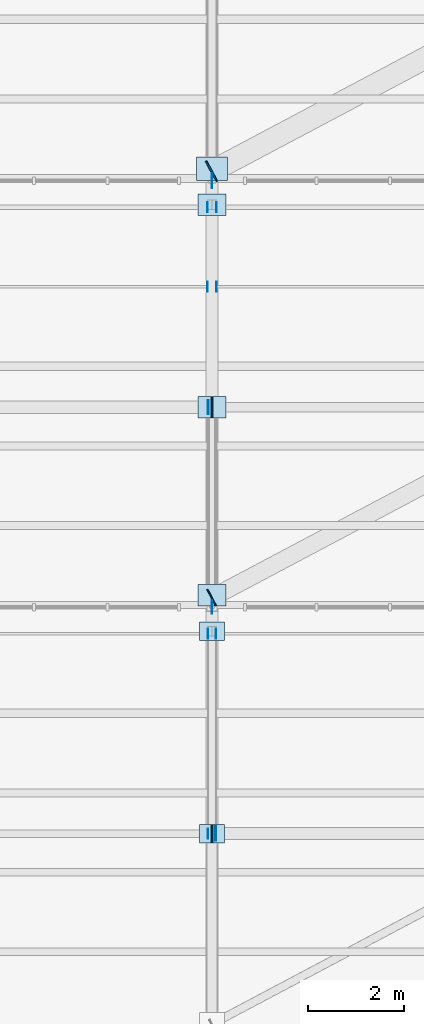
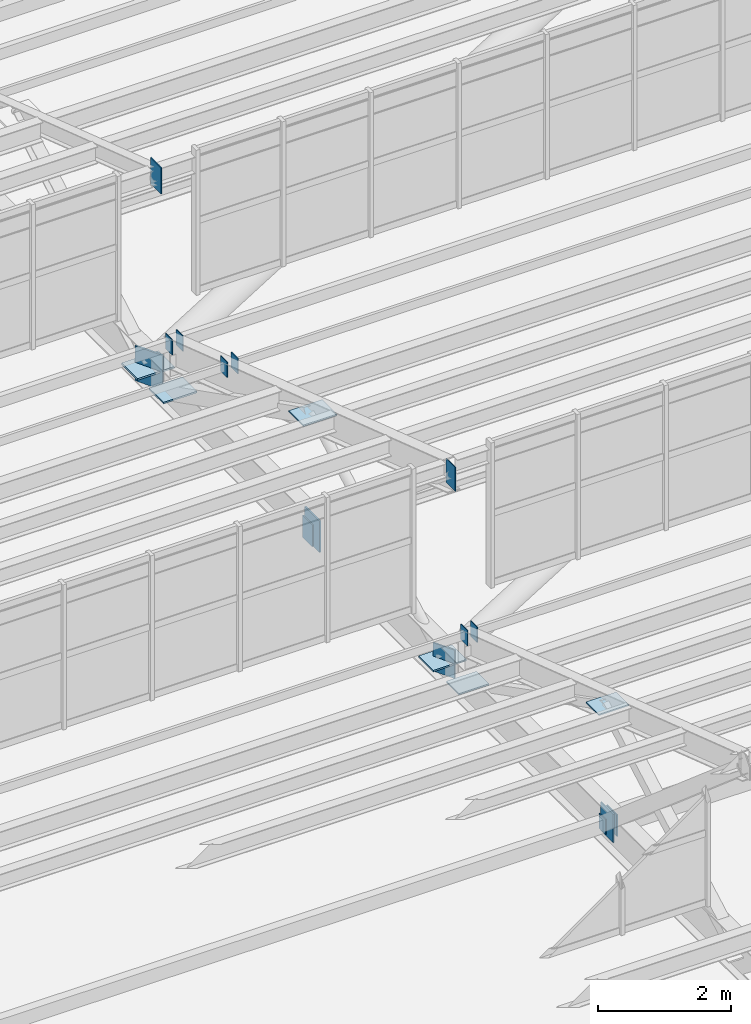
# One storey, part 223 of 285: 21 plates.
"""IFC4 building model written with IfcOpenShell, lengths in metres."""

import ifcopenshell
import ifcopenshell.guid

model = None  # the IFC model being written
_history = None  # IfcOwnerHistory: only IFC2X3 demands one
_inside = {}  # id of a spatial element -> (the spatial element, [elements in it])
_under = {}  # id of a project, library or spatial element -> (it, [spatial elements below it])
_declared = {}  # id of a project -> (the project, [libraries it declares])
_typed = {}  # id of a type object -> (the type object, [elements of that type])
_made_of = {}  # id of a material, layer set ... -> (it, [elements and type objects made of it])


def new_model(schema):
    """Start an empty IFC model of exactly this schema.

    Asked for "IFC4X3", IfcOpenShell would pick the latest addendum, in which some entities
    have other attributes; the version numbers below select the first issue.
    IFC2X3 requires an IfcOwnerHistory on every rooted entity: one is made here for all.
    """
    global model, _history
    if schema == "IFC4X3":
        model = ifcopenshell.file(schema_version=(4, 3, 0, 0))
    else:
        model = ifcopenshell.file(schema=schema)
    _inside.clear()
    _under.clear()
    _declared.clear()
    _typed.clear()
    _made_of.clear()
    _history = None
    if model.schema == "IFC2X3":
        org = make("IfcOrganization", Name="unknown")
        user = make(
            "IfcPersonAndOrganization",
            ThePerson=make("IfcPerson", FamilyName="unknown"),
            TheOrganization=org,
        )
        app = make(
            "IfcApplication",
            ApplicationDeveloper=org,
            Version="unknown",
            ApplicationFullName="unknown",
            ApplicationIdentifier="unknown",
        )
        _history = make(
            "IfcOwnerHistory",
            OwningUser=user,
            OwningApplication=app,
            ChangeAction="ADDED",
            CreationDate=0,
        )
    return model


def make(cls, **values):
    """One entity of the class cls with the attributes given. An attribute that is None is left unset."""
    return model.create_entity(
        cls, **{name: value for name, value in values.items() if value is not None}
    )


def rooted(cls, **values):
    """An entity with a GlobalId (a new one), such as an element, a storey or a relation."""
    return make(cls, GlobalId=ifcopenshell.guid.new(), OwnerHistory=_history, **values)


def si_unit(unit_type, name, prefix=None):
    """IfcSIUnit, for example si_unit("LENGTHUNIT", "METRE", prefix="MILLI")."""
    return make("IfcSIUnit", UnitType=unit_type, Prefix=prefix, Name=name)


def assignment(units):
    """IfcUnitAssignment: the units of a project."""
    return None if units is None else make("IfcUnitAssignment", Units=units)


def point(xyz):
    """IfcCartesianPoint."""
    return None if xyz is None else make("IfcCartesianPoint", Coordinates=xyz)


def direction(xyz):
    """IfcDirection."""
    return None if xyz is None else make("IfcDirection", DirectionRatios=xyz)


def frame(location, z_axis=None, x_axis=None):
    """IfcAxis2Placement3D, a coordinate frame: its origin and axes. An axis left out is left unset."""
    return make(
        "IfcAxis2Placement3D",
        Location=point(location),
        Axis=direction(z_axis),
        RefDirection=direction(x_axis),
    )


def frame_2d(location, x_axis=None):
    """IfcAxis2Placement2D, a coordinate frame in the plane: its origin and x axis."""
    return make(
        "IfcAxis2Placement2D", Location=point(location), RefDirection=direction(x_axis)
    )


def origin():
    """The frame at (0, 0, 0) with its axes left unset."""
    return frame((0.0, 0.0, 0.0))


def origin_2d():
    """The frame at (0, 0) in the plane with its x axis left unset."""
    return frame_2d((0.0, 0.0))


def place(relative_to, where):
    """IfcLocalPlacement: puts the frame where relative to a parent placement (None: the world)."""
    return make(
        "IfcLocalPlacement", PlacementRelTo=relative_to, RelativePlacement=where
    )


def context(
    kind, dimensions, precision=None, world=None, true_north=None, identifier=None
):
    """IfcGeometricRepresentationContext, for example the 3D "Model" context."""
    return make(
        "IfcGeometricRepresentationContext",
        ContextIdentifier=identifier,
        ContextType=kind,
        CoordinateSpaceDimension=dimensions,
        Precision=precision,
        WorldCoordinateSystem=world,
        TrueNorth=true_north,
    )


def subcontext(parent, identifier, kind, view, scale=None):
    """IfcGeometricRepresentationSubContext, for example "Body" below "Model"."""
    return make(
        "IfcGeometricRepresentationSubContext",
        ContextIdentifier=identifier,
        ContextType=kind,
        ParentContext=parent,
        TargetScale=scale,
        TargetView=view,
    )


def project(units=None, contexts=None):
    """IfcProject with its units and contexts."""
    return rooted(
        "IfcProject",
        Name="project",
        RepresentationContexts=contexts,
        UnitsInContext=assignment(units),
    )


def spatial(cls, under=None, at=None, **own):
    """A site, building, storey or space (cls), placed at a placement, below another one or the project."""
    s = rooted(cls, ObjectPlacement=at, **own)
    if under is not None:
        _under.setdefault(under.id(), (under, []))[1].append(s)
    return s


def profile(cls, at=None, kind="AREA", **sizes):
    """A parametric profile (cls). Its sizes go by their IFC names, for example OverallWidth=200.0."""
    return make(cls, ProfileType=kind, Position=at, **sizes)


def rectangle(**sizes):
    """IfcRectangleProfileDef."""
    return profile("IfcRectangleProfileDef", **sizes)


def extrude(swept, where, along, depth):
    """IfcExtrudedAreaSolid: the profile swept, set in the frame where, extruded along a direction by depth."""
    return make(
        "IfcExtrudedAreaSolid",
        SweptArea=swept,
        Position=where,
        ExtrudedDirection=direction(along),
        Depth=depth,
    )


def shape(context_of_items, identifier, shape_type, items):
    """IfcShapeRepresentation: the items that make up one representation, for example the "Body"."""
    return make(
        "IfcShapeRepresentation",
        ContextOfItems=context_of_items,
        RepresentationIdentifier=identifier,
        RepresentationType=shape_type,
        Items=items,
    )


def material(Name=None, Category=None):
    """IfcMaterial."""
    return make("IfcMaterial", Name=Name, Category=Category)


def layer(
    of_material, thickness, ventilated=None, Name=None, Category=None, Priority=None
):
    """IfcMaterialLayer: one layer of a wall or slab, of a material (None: an air gap)."""
    return make(
        "IfcMaterialLayer",
        Material=of_material,
        LayerThickness=thickness,
        IsVentilated=ventilated,
        Name=Name,
        Category=Category,
        Priority=Priority,
    )


def layer_set(layers, Name=None):
    """IfcMaterialLayerSet."""
    return make("IfcMaterialLayerSet", MaterialLayers=layers, LayerSetName=Name)


def made_of(thing, what):
    """Note that an element or type object is made of a material, layer set ...; save() writes the relation."""
    if what is not None:
        _made_of.setdefault(what.id(), (what, []))[1].append(thing)
    return thing


def type_object(cls, material=None, **own):
    """A type object (cls), such as IfcWallType, which elements share."""
    return made_of(rooted(cls, **own), material)


def element(
    cls,
    number,
    at=None,
    inside=None,
    cuts=None,
    type_object=None,
    material=None,
    context=None,
    identifier="Body",
    shape_type=None,
    held_by="IfcProductDefinitionShape",
    body=None,
    shapes=None,
    **own,
):
    """One element of the class cls, such as IfcWall. Its Tag is "e" and its number.

    at: its placement. inside: the storey or other place that contains it. cuts: it is an
    opening in that element (IfcRelVoidsElement). A single representation is given by context,
    identifier, shape_type and body (its items); several are given by shapes. held_by: the class
    of the entity that holds the representations. save() writes the other relations.
    """
    e = rooted(cls, Tag="e%d" % number, ObjectPlacement=at, **own)
    if body is not None:
        shapes = [shape(context, identifier, shape_type, body)]
    if shapes is not None:
        e.Representation = make(held_by, Representations=shapes)
    if inside is not None:
        _inside.setdefault(inside.id(), (inside, []))[1].append(e)
    if cuts is not None:
        rooted(
            "IfcRelVoidsElement", RelatingBuildingElement=cuts, RelatedOpeningElement=e
        )
    if type_object is not None:
        _typed.setdefault(type_object.id(), (type_object, []))[1].append(e)
    return made_of(e, material)


def aggregate(whole, parts):
    """IfcRelAggregates: a whole, such as a stair, and the parts it consists of."""
    return rooted("IfcRelAggregates", RelatingObject=whole, RelatedObjects=parts)


def save(model, path):
    """Write the relations noted so far, then the file.

    IfcRelAggregates (storeys below a building ...), IfcRelContainedInSpatialStructure (elements
    in a storey), IfcRelDefinesByType, IfcRelAssociatesMaterial and IfcRelDeclares: one each for
    every whole, place, type object, material and project.
    """
    for whole, parts in _under.values():
        aggregate(whole, parts)
    for where, things in _inside.values():
        rooted(
            "IfcRelContainedInSpatialStructure",
            RelatedElements=things,
            RelatingStructure=where,
        )
    for kind, things in _typed.values():
        rooted("IfcRelDefinesByType", RelatedObjects=things, RelatingType=kind)
    for what, things in _made_of.values():
        rooted("IfcRelAssociatesMaterial", RelatedObjects=things, RelatingMaterial=what)
    for by, libraries in _declared.values():
        rooted("IfcRelDeclares", RelatingContext=by, RelatedDefinitions=libraries)
    model.write(path)


model = new_model("IFC4")

# Units and contexts
model_context = context("Model", 3, precision=1e-05, world=origin(), true_north=direction((0.0, 1.0)))
body_context = subcontext(model_context, "Body", "Model", "MODEL_VIEW")
ifc_project = project(units=[si_unit("LENGTHUNIT", "METRE"), si_unit("AREAUNIT", "SQUARE_METRE"), si_unit("VOLUMEUNIT", "CUBIC_METRE"), si_unit("PLANEANGLEUNIT", "RADIAN"), si_unit("MASSUNIT", "GRAM", prefix="KILO")], contexts=[model_context])

# Site, building, storey
site_placement = place(None, origin())
site = spatial("IfcSite", under=ifc_project, at=site_placement, CompositionType="ELEMENT")
building_placement = place(site_placement, origin())
building = spatial("IfcBuilding", under=site, at=building_placement, Name="Solanera Park Tramway Depot", CompositionType="ELEMENT")
storey_placement = place(building_placement, origin())
storey = spatial("IfcBuildingStorey", under=building, at=storey_placement, Name="L00", CompositionType="ELEMENT", Elevation=0.0)

# Plates
ifc_material_1 = material(Name="Steel AS/NZS 3679.1 Grade 350", Category="steel")
ifc_layer_1 = layer(ifc_material_1, 0.013916015625)
ifc_layer_set_1 = layer_set([ifc_layer_1], Name="Steel AS/NZS 3679.1 Grade 350")
plate_type_1 = type_object("IfcPlateType", Name="Hollow End Cap and Base Plate 280x200x14", PredefinedType="USERDEFINED", material=ifc_layer_set_1)
for number, where, z_axis, x_axis, name in (
    (1, (119.915771484375, 99.449951171875, 7.30615234375), (0.0, 0.0, 1.0), (1.0, 0.0, 0.0), "Hollow Section Welded End Cap Plate #0496"),
    (2, (120.084228515625, 99.449951171875, 7.30615234375), (0.0, 0.0, 1.0), (1.0, 0.0, 0.0), "Hollow Section Welded End Cap Plate #0497"),
    (3, (119.9150390625, 95.300048828125, 6.35986328125), (0.0, 0.0, 1.0), (1.0, 0.0, 0.0), "Hollow Section Welded End Cap Plate #0512"),
    (4, (119.90625, 106.64990234375, 7.8583984375), (0.0, 0.0, 1.0), (1.0, 0.0, 0.0), "Hollow Section Welded End Cap Plate #0587"),
    (5, (120.09375, 106.64990234375, 7.8583984375), (0.0, 0.0, 1.0), (1.0, 0.0, 0.0), "Hollow Section Welded End Cap Plate #0588"),
    (6, (119.90625, 108.300048828125, 7.27294921875), (0.0, 0.0, 1.0), (1.0, 0.0, 0.0), "Hollow Section Welded End Cap Plate #0607"),
    (7, (120.09375, 108.300048828125, 7.27294921875), (0.0, 0.0, 1.0), (1.0, 0.0, 0.0), "Hollow Section Welded End Cap Plate #0608"),
):
    element("IfcPlate", number, at=place(storey_placement, frame(where, z_axis=z_axis, x_axis=x_axis)), inside=storey, type_object=plate_type_1, Name=name, ObjectType="BASE PLATE", PredefinedType="USERDEFINED", context=body_context, shape_type="SweptSolid", body=[
        extrude(rectangle(XDim=0.013916015625, YDim=0.199951171875, at=origin_2d()), origin(), (0.0, 0.0, 1.0), 0.280029296875),
    ])
ifc_material_2 = material(Name="Steel AS/NZS 3679.1 Grade 350", Category="steel")
ifc_layer_2 = layer(ifc_material_2, 0.02001953125)
ifc_layer_set_2 = layer_set([ifc_layer_2], Name="Steel AS/NZS 3679.1 Grade 350")
plate_type_2 = type_object("IfcPlateType", Name="Hollow End Cap and Base Plate 400x300x20", PredefinedType="USERDEFINED", material=ifc_layer_set_2)
for number, where, z_axis, x_axis, name in (
    (8, (120.08203125, 95.300048828125, 6.300048828125), (0.0, 0.0, 1.0), (1.0, 0.0, 0.0), "Hollow Section Welded End Cap Plate #0513"),
    (9, (119.91796875, 104.14990234375, 6.300048828125), (0.0, 0.0, 1.0), (1.0, 0.0, 0.0), "Hollow Section Welded End Cap Plate #0625"),
):
    element("IfcPlate", number, at=place(storey_placement, frame(where, z_axis=z_axis, x_axis=x_axis)), inside=storey, type_object=plate_type_2, Name=name, ObjectType="BASE PLATE", PredefinedType="USERDEFINED", context=body_context, shape_type="SweptSolid", body=[
        extrude(rectangle(XDim=0.02001953125, YDim=0.300048828125, at=origin_2d()), origin(), (0.0, 0.0, 1.0), 0.39990234375),
    ])
ifc_material_3 = material(Name="Steel AS/NZS 3679.1 Grade 350", Category="steel")
ifc_layer_3 = layer(ifc_material_3, 0.02490234375)
ifc_layer_set_3 = layer_set([ifc_layer_3], Name="Steel AS/NZS 3679.1 Grade 350")
plate_type_3 = type_object("IfcPlateType", Name="Hollow End Cap and Base Plate 520x380x25", PredefinedType="USERDEFINED", material=ifc_layer_set_3)
plate_1_placement = place(storey_placement, frame((120.0, 95.300048828125, 6.239990234375), z_axis=(0.0, 0.0, 1.0), x_axis=(1.0, 0.0, 0.0)))
element("IfcPlate", 10, at=plate_1_placement, inside=storey, type_object=plate_type_3, Name="Sawtooth Truss Hollow End Cap #0467", ObjectType="BASE PLATE", PredefinedType="USERDEFINED", context=body_context, shape_type="SweptSolid", body=[
    extrude(rectangle(XDim=0.02490234375, YDim=0.3798828125, at=origin_2d()), origin(), (0.0, 0.0, 1.0), 0.52001953125),
])
for number, where, z_axis, x_axis, name in (
    (11, (120.0, 99.5, 6.487548828125), (0.0, 0.0, 1.0), (1.0, 0.0, 0.0), "Sawtooth Truss Node Cap Plate #0468"),
    (12, (120.0, 95.300048828125, 8.655029296875), (0.0, 0.0, 1.0), (1.0, 0.0, 0.0), "Sawtooth Truss Node Cap Plate #0469"),
):
    element("IfcPlate", number, at=place(storey_placement, frame(where, z_axis=z_axis, x_axis=x_axis)), inside=storey, type_object=plate_type_3, Name=name, ObjectType="BASE PLATE", PredefinedType="USERDEFINED", context=body_context, shape_type="SweptSolid", body=[
        extrude(rectangle(XDim=0.52001953125, YDim=0.3798828125, at=origin_2d()), origin(), (0.0, 0.0, 1.0), 0.02490234375),
    ])
plate_2_placement = place(storey_placement, frame((119.994384765625, 100.196044921875, 6.239990234375), z_axis=(0.0, 0.0, 1.0), x_axis=(0.883520501477, 0.468392488698, 0.0)))
element("IfcPlate", 13, at=plate_2_placement, inside=storey, type_object=plate_type_3, Name="Hollow Section Welded End Cap Plate #0626", ObjectType="BASE PLATE", PredefinedType="USERDEFINED", context=body_context, shape_type="SweptSolid", body=[
    extrude(rectangle(XDim=0.02490234375, YDim=0.3798828125, at=origin_2d()), origin(), (0.0, 0.0, 1.0), 0.52001953125),
])
ifc_material_4 = material(Name="Steel AS/NZS 3679.1 Grade 350", Category="steel")
ifc_layer_4 = layer(ifc_material_4, 0.028076171875)
ifc_layer_set_4 = layer_set([ifc_layer_4], Name="Steel AS/NZS 3679.1 Grade 350")
plate_type_4 = type_object("IfcPlateType", Name="Hollow End Cap and Base Plate 580x440x28", PredefinedType="USERDEFINED", material=ifc_layer_set_4)
plate_3_placement = place(storey_placement, frame((120.0, 104.14990234375, 6.2099609375), z_axis=(0.0, 0.0, 1.0), x_axis=(1.0, 0.0, 0.0)))
element("IfcPlate", 14, at=plate_3_placement, inside=storey, type_object=plate_type_4, Name="Sawtooth Truss Hollow End Cap #0558", ObjectType="BASE PLATE", PredefinedType="USERDEFINED", context=body_context, shape_type="SweptSolid", body=[
    extrude(rectangle(XDim=0.028076171875, YDim=0.43994140625, at=origin_2d()), origin(), (0.0, 0.0, 1.0), 0.580078125),
])
for number, where, z_axis, x_axis, name in (
    (15, (120.0, 108.35009765625, 6.48583984375), (0.0, 0.0, 1.0), (1.0, 0.0, 0.0), "Sawtooth Truss Node Cap Plate #0559"),
    (16, (120.0, 104.14990234375, 8.61572265625), (0.0, 0.0, 1.0), (1.0, 0.0, 0.0), "Sawtooth Truss Node Cap Plate #0560"),
    (17, (120.0, 100.25, 6.48583984375), (0.0, 0.0, 1.0), (1.0, 0.0, 0.0), "Sawtooth Truss Node Cap Plate #0561"),
):
    element("IfcPlate", number, at=place(storey_placement, frame(where, z_axis=z_axis, x_axis=x_axis)), inside=storey, type_object=plate_type_4, Name=name, ObjectType="BASE PLATE", PredefinedType="USERDEFINED", context=body_context, shape_type="SweptSolid", body=[
        extrude(rectangle(XDim=0.580078125, YDim=0.43994140625, at=origin_2d()), origin(), (0.0, 0.0, 1.0), 0.028076171875),
    ])
ifc_material_5 = material(Name="Steel AS/NZS 3679.1 Grade 350", Category="steel")
ifc_layer_5 = layer(ifc_material_5, 0.031982421875)
ifc_layer_set_5 = layer_set([ifc_layer_5], Name="Steel AS/NZS 3679.1 Grade 350")
plate_type_5 = type_object("IfcPlateType", Name="Hollow End Cap and Base Plate 640x480x32", PredefinedType="USERDEFINED", material=ifc_layer_set_5)
plate_4_placement = place(storey_placement, frame((120.0, 109.10009765625, 6.48388671875), z_axis=(0.0, 0.0, 1.0), x_axis=(1.0, 0.0, 0.0)))
element("IfcPlate", 18, at=plate_4_placement, inside=storey, type_object=plate_type_5, Name="Sawtooth Truss Node Cap Plate #0672", ObjectType="BASE PLATE", PredefinedType="USERDEFINED", context=body_context, shape_type="SweptSolid", body=[
    extrude(rectangle(XDim=0.639892578125, YDim=0.47998046875, at=origin_2d()), origin(), (0.0, 0.0, 1.0), 0.031982421875),
])
plate_5_placement = place(storey_placement, frame((119.991455078125, 109.04443359375, 6.18017578125), z_axis=(0.0, 0.0, 1.0), x_axis=(0.883520501477, 0.468392488698, 0.0)))
element("IfcPlate", 19, at=plate_5_placement, inside=storey, type_object=plate_type_5, Name="Hollow Section Welded End Cap Plate #0755", ObjectType="BASE PLATE", PredefinedType="USERDEFINED", context=body_context, shape_type="SweptSolid", body=[
    extrude(rectangle(XDim=0.031982421875, YDim=0.47998046875, at=origin_2d()), origin(), (0.0, 0.0, 1.0), 0.639892578125),
])
ifc_material_6 = material(Name="Steel AS/NZS 3679.1 Grade 350", Category="steel")
ifc_layer_6 = layer(ifc_material_6, 0.01611328125)
ifc_layer_set_6 = layer_set([ifc_layer_6], Name="Steel AS/NZS 3679.1 Grade 350")
plate_type_6 = type_object("IfcPlateType", Name="Truss Node Gusset Stiffener 440x280x16", PredefinedType="SHEET", material=ifc_layer_set_6)
plate_6_placement = place(storey_placement, frame((120.0, 100.0, 9.79833984375), z_axis=(0.0, 0.0, 1.0), x_axis=(1.0, 0.0, 0.0)))
element("IfcPlate", 20, at=plate_6_placement, inside=storey, type_object=plate_type_6, Name="Sawtooth Truss Apex Gusset Plate #0557", PredefinedType="SHEET", context=body_context, shape_type="SweptSolid", body=[
    extrude(rectangle(XDim=0.01611328125, YDim=0.280029296875, at=origin_2d()), origin(), (0.0, 0.0, 1.0), 0.43994140625),
])
ifc_material_7 = material(Name="Steel AS/NZS 3679.1 Grade 350", Category="steel")
ifc_layer_7 = layer(ifc_material_7, 0.01806640625)
ifc_layer_set_7 = layer_set([ifc_layer_7], Name="Steel AS/NZS 3679.1 Grade 350")
plate_type_7 = type_object("IfcPlateType", Name="Truss Node Gusset Stiffener 480x320x18", PredefinedType="SHEET", material=ifc_layer_set_7)
plate_7_placement = place(storey_placement, frame((120.0, 108.85009765625, 9.89111328125), z_axis=(0.0, 0.0, 1.0), x_axis=(1.0, 0.0, 0.0)))
element("IfcPlate", 21, at=plate_7_placement, inside=storey, type_object=plate_type_7, Name="Sawtooth Truss Apex Gusset Plate #0668", PredefinedType="SHEET", context=body_context, shape_type="SweptSolid", body=[
    extrude(rectangle(XDim=0.01806640625, YDim=0.320068359375, at=origin_2d()), origin(), (0.0, 0.0, 1.0), 0.47998046875),
])

save(model, "model.ifc")
